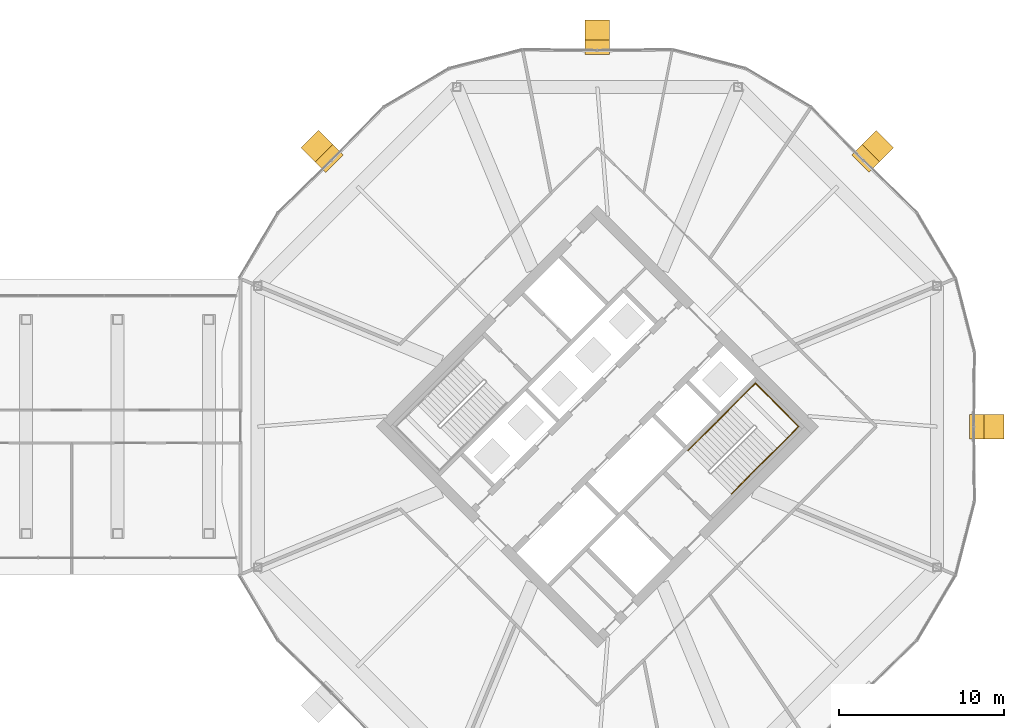
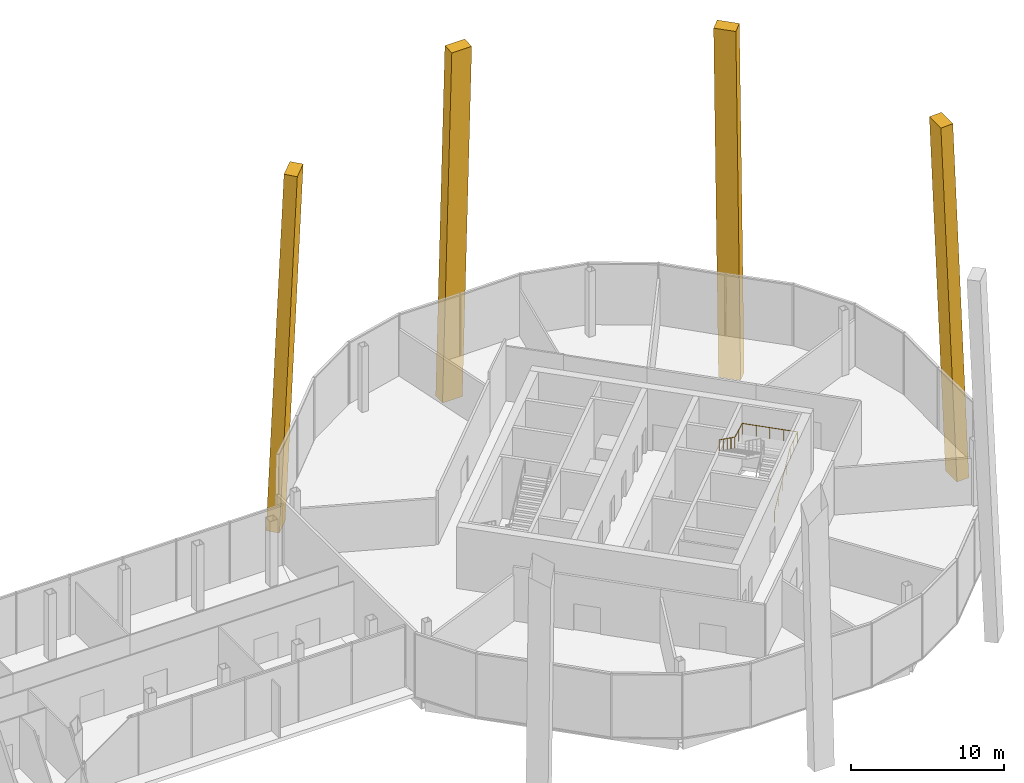
# One storey, part 27 of 28: 4 coverings, 1 railing.
"""IFC4 building model written with IfcOpenShell, lengths in metres."""

from ifc_helpers import new_model, si_unit, direction, frame, origin, origin_2d, place, context, subcontext, project, spatial, rectangle, circle, extrude, material, material_profile, profile_set, type_object, element, save


model = new_model("IFC4")

# Units and contexts
model_context = context("Model", 3, precision=1e-05, world=origin(), true_north=direction((0.0, 1.0)))
body_context = subcontext(model_context, "Body", "Model", "MODEL_VIEW")
ifc_project = project(units=[si_unit("LENGTHUNIT", "METRE"), si_unit("AREAUNIT", "SQUARE_METRE"), si_unit("VOLUMEUNIT", "CUBIC_METRE"), si_unit("PLANEANGLEUNIT", "RADIAN"), si_unit("MASSUNIT", "GRAM", prefix="KILO")], contexts=[model_context])

# Site, building, storey
site_placement = place(None, origin())
site = spatial("IfcSite", under=ifc_project, at=site_placement, CompositionType="ELEMENT")
building_placement = place(site_placement, origin())
building = spatial("IfcBuilding", under=site, at=building_placement, Name="Ogive Gate Towers", CompositionType="ELEMENT")
storey_placement = place(building_placement, frame((0.0, 0.0, 135.60009765625)))
storey = spatial("IfcBuildingStorey", under=building, at=storey_placement, Name="L32", CompositionType="ELEMENT", Elevation=135.60009765625)

# Coverings
ifc_material_1 = material(Name="Pale metal aluminium", Category="aluminium")
ifc_material_profile = material_profile(ifc_material_1, rectangle(XDim=1.5, YDim=0.89990234375, at=origin_2d()), Name="1500 x 900 pale metal aluminium")
ifc_profile_set = profile_set([ifc_material_profile], Name="Pale metal aluminium")
covering_type = type_object("IfcCoveringType", Name="Crease colonnette 1500 x 900", PredefinedType="CLADDING", material=ifc_profile_set)
for number, where, z_axis, x_axis, name in (
    (1, (60.260498046875, 0.0, -4.10009765625), (-0.042285399658, 0.0, 0.999105572488), (0.0, -1.0, 0.0), "Crease colonnette"),
    (2, (53.15478515625, 17.15478515625, -4.10009765625), (-0.029901693981, -0.029901693981, 0.999105488622), (0.707106781187, -0.707106781187, 0.0), "Crease colonnette"),
    (3, (36.0, 24.260498046875, -4.10009765625), (0.0, -0.042285399658, 0.999105572488), (1.0, 0.0, 0.0), "Crease colonnette"),
    (4, (18.84521484375, 17.15478515625, -4.10009765625), (0.029901693981, -0.029901693981, 0.999105488622), (0.707106781187, 0.707106781187, 0.0), "Crease colonnette"),
):
    element("IfcCovering", number, at=place(storey_placement, frame(where, z_axis=z_axis, x_axis=x_axis)), inside=storey, type_object=covering_type, Name=name, PredefinedType="CLADDING", context=body_context, shape_type="SweptSolid", body=[
        extrude(rectangle(XDim=1.5, YDim=0.89990234375, at=origin_2d()), origin(), (0.0, 0.0, 1.0), 28.625732421875),
    ])

# Railing
ifc_material_2 = material(Name="Stainless steel", Category="steel")
railing_type = type_object("IfcRailingType", Name="Stair handrail 900", PredefinedType="HANDRAIL", material=ifc_material_2)
railing_placement = place(storey_placement, frame((44.142333984375, -4.090576171875, 0.17333984375)))
element("IfcRailing", 5, at=railing_placement, inside=storey, type_object=railing_type, Name="L32 ST2 stair handrail 1", PredefinedType="HANDRAIL", context=body_context, shape_type="SweptSolid", body=[
    extrude(circle(Radius=0.02392578125, at=origin_2d()), frame((0.0, 0.0, 0.8759765625), z_axis=(0.601264749941, 0.601211793736, 0.526331720069), x_axis=(-0.707075640025, 0.707137920976, 0.0)), (0.0, 0.0, 1.0), 4.6103515625),
    extrude(circle(Radius=0.02392578125, at=origin_2d()), frame((2.77197265625, 2.771728515625, 3.30224609375), z_axis=(0.707041323489, 0.707172232825, 0.0), x_axis=(-0.707172232825, 0.707041323489, 0.0)), (0.0, 0.0, 1.0), 1.864990234375),
    extrude(circle(Radius=0.02392578125, at=origin_2d()), frame((4.090576171875, 4.090576171875, 3.30224609375), z_axis=(-0.707106781187, 0.707106781187, 0.0), x_axis=(-0.707106781187, -0.707106781187, 0.0)), (0.0, 0.0, 1.0), 3.72509765625),
    extrude(circle(Radius=0.02392578125, at=origin_2d()), frame((1.45654296875, 6.724609375, 3.30224609375), z_axis=(-0.704006943591, -0.704137291109, 0.092546737632), x_axis=(0.707172232825, -0.707041323489, 0.0)), (0.0, 0.0, 1.0), 1.873046875),
    extrude(circle(Radius=0.02392578125, at=origin_2d()), frame((0.137939453125, 5.40576171875, 3.4755859375), z_axis=(-0.601247991029, -0.6011950363, 0.526370004476), x_axis=(0.707075640025, -0.707137920976, 0.0)), (0.0, 0.0, 1.0), 4.6103515625),
    extrude(circle(Radius=0.02099609375, at=origin_2d()), origin(), (0.0, 0.0, 1.0), 0.851806640625),
    extrude(circle(Radius=0.02099609375, at=origin_2d()), frame((0.69287109375, 0.69287109375, 0.606689453125)), (0.0, 0.0, 1.0), 0.851806640625),
    extrude(circle(Radius=0.02099609375, at=origin_2d()), frame((1.385986328125, 1.3857421875, 1.21337890625)), (0.0, 0.0, 1.0), 0.851806640625),
    extrude(circle(Radius=0.02099609375, at=origin_2d()), frame((2.0791015625, 2.078857421875, 1.81982421875)), (0.0, 0.0, 1.0), 0.851806640625),
    extrude(circle(Radius=0.02099609375, at=origin_2d()), frame((2.77197265625, 2.771728515625, 2.426513671875)), (0.0, 0.0, 1.0), 0.851806640625),
    extrude(circle(Radius=0.02099609375, at=origin_2d()), frame((3.43115234375, 3.43115234375, 2.426513671875)), (0.0, 0.0, 1.0), 0.851806640625),
    extrude(circle(Radius=0.02099609375, at=origin_2d()), frame((4.090576171875, 4.090576171875, 2.426513671875)), (0.0, 0.0, 1.0), 0.851806640625),
    extrude(circle(Radius=0.02099609375, at=origin_2d()), frame((3.43212890625, 4.7490234375, 2.426513671875)), (0.0, 0.0, 1.0), 0.851806640625),
    extrude(circle(Radius=0.02099609375, at=origin_2d()), frame((2.7734375, 5.40771484375, 2.426513671875)), (0.0, 0.0, 1.0), 0.851806640625),
    extrude(circle(Radius=0.02099609375, at=origin_2d()), frame((2.114990234375, 6.066162109375, 2.426513671875)), (0.0, 0.0, 1.0), 0.851806640625),
    extrude(circle(Radius=0.02099609375, at=origin_2d()), frame((1.45654296875, 6.724609375, 2.426513671875)), (0.0, 0.0, 1.0), 0.851806640625),
    extrude(circle(Radius=0.02099609375, at=origin_2d()), frame((0.79736328125, 6.065185546875, 2.51318359375)), (0.0, 0.0, 1.0), 0.851806640625),
    extrude(circle(Radius=0.02099609375, at=origin_2d()), frame((0.137939453125, 5.40576171875, 2.599853515625)), (0.0, 0.0, 1.0), 0.851806640625),
    extrude(circle(Radius=0.02099609375, at=origin_2d()), frame((-0.55517578125, 4.712890625, 3.20654296875)), (0.0, 0.0, 1.0), 0.851806640625),
    extrude(circle(Radius=0.02099609375, at=origin_2d()), frame((-1.248046875, 4.02001953125, 3.813232421875)), (0.0, 0.0, 1.0), 0.851806640625),
    extrude(circle(Radius=0.02099609375, at=origin_2d()), frame((-1.94091796875, 3.326904296875, 4.419921875)), (0.0, 0.0, 1.0), 0.851806640625),
    extrude(circle(Radius=0.02099609375, at=origin_2d()), frame((-2.634033203125, 2.634033203125, 5.026611328125)), (0.0, 0.0, 1.0), 0.851806640625),
])

save(model, "model.ifc")
